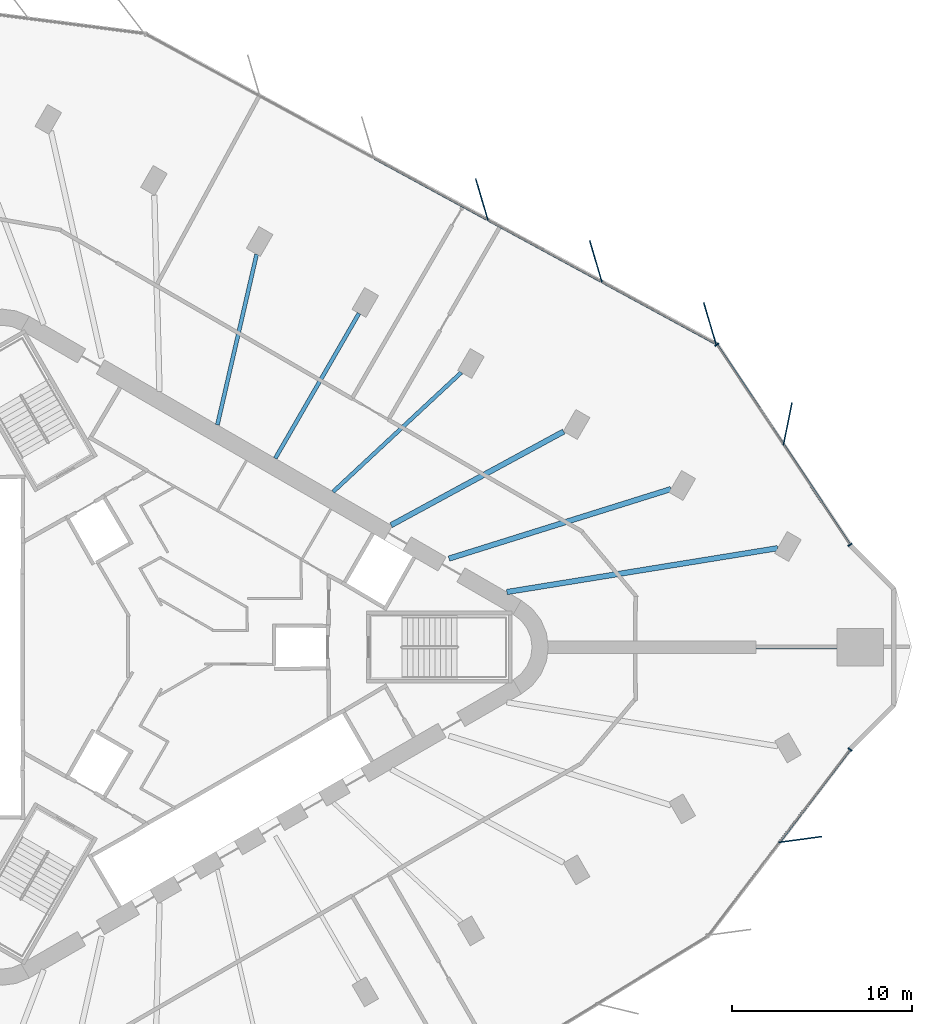
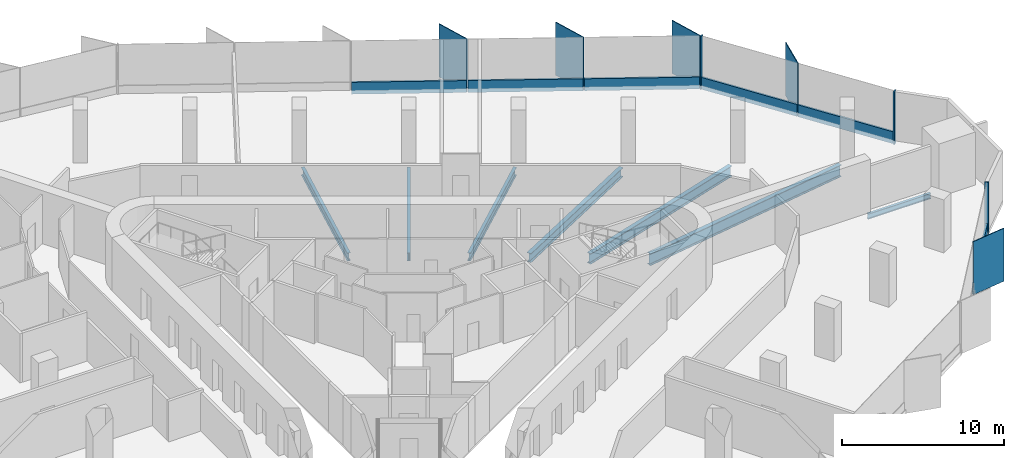
# One storey, part 5 of 14: 14 members, 7 beams, 3 elements without a shape of their own.
"""IFC4 building model written with IfcOpenShell, lengths in metres."""

from ifc_helpers import new_model, si_unit, direction, frame, origin, origin_2d, place, context, subcontext, project, spatial, rectangle, i_section, extrude, material, material_profile, profile_set, type_object, element, aggregate, save


model = new_model("IFC4")

# Units and contexts
model_context = context("Model", 3, precision=1e-05, world=origin(), true_north=direction((0.0, 1.0)))
body_context = subcontext(model_context, "Body", "Model", "MODEL_VIEW")
ifc_project = project(units=[si_unit("LENGTHUNIT", "METRE"), si_unit("AREAUNIT", "SQUARE_METRE"), si_unit("VOLUMEUNIT", "CUBIC_METRE"), si_unit("PLANEANGLEUNIT", "RADIAN"), si_unit("MASSUNIT", "GRAM", prefix="KILO")], contexts=[model_context])

# Site, building, storey
site_placement = place(None, origin())
site = spatial("IfcSite", under=ifc_project, at=site_placement, CompositionType="ELEMENT")
building_placement = place(site_placement, origin())
building = spatial("IfcBuilding", under=site, at=building_placement, Name="Tanit Gate Tower", CompositionType="ELEMENT")
storey_placement = place(building_placement, frame((0.0, 0.0, 221.199951171875)))
storey = spatial("IfcBuildingStorey", under=building, at=storey_placement, Name="L49", CompositionType="ELEMENT", Elevation=221.199951171875)

# Curtain wall, member
ifc_material_1 = material(Name="Aluminium bronze anodised and glass", Category="aluminium")
curtain_wall_type = type_object("IfcCurtainWallType", Name="Curtain wall typical mid", PredefinedType="NOTDEFINED", material=ifc_material_1)
curtain_wall_1_placement = place(storey_placement, origin())
curtain_wall_1 = element("IfcCurtainWall", 1, at=curtain_wall_1_placement, inside=storey, type_object=curtain_wall_type, Name="Curtain wall L49 NE1", PredefinedType="NOTDEFINED")
ifc_material_2 = material(Name="Aluminium bronze anodised", Category="aluminium")
ifc_material_profile_1 = material_profile(ifc_material_2, rectangle(XDim=2.39990234375, YDim=0.055908203125, at=origin_2d()), Name="56x2400 bronze fin mullion")
ifc_profile_set_1 = profile_set([ifc_material_profile_1], Name="Aluminium bronze anodised")
member_type_1 = type_object("IfcMemberType", Name="FIN MULLION 56x2400 bronze", PredefinedType="MULLION", material=ifc_profile_set_1)
member_1_placement = place(storey_placement, frame((34.483642578125, 12.392333984375, -0.300048828125), z_axis=(0.0, 0.0, 1.0), x_axis=(-0.19729527251, -0.980344110731, 0.0)))
member_1 = element("IfcMember", 2, at=member_1_placement, type_object=member_type_1, Name="Fin mullion L49 NE1.2", PredefinedType="MULLION", context=body_context, shape_type="SweptSolid", body=[
    extrude(rectangle(XDim=2.39990234375, YDim=0.055908203125, at=origin_2d()), origin(), (0.0, 0.0, 1.0), 4.0),
])

# Curtain wall, members
curtain_wall_2_placement = place(storey_placement, origin())
curtain_wall_2 = element("IfcCurtainWall", 3, at=curtain_wall_2_placement, inside=storey, type_object=curtain_wall_type, Name="Curtain wall L49 NE2", PredefinedType="NOTDEFINED")
member_2_placement = place(storey_placement, frame((30.165771484375, 17.973876953125, -0.300048828125), z_axis=(0.0, 0.0, 1.0), x_axis=(0.283905588939, -0.958852239174, 0.0)))
member_2 = element("IfcMember", 4, at=member_2_placement, type_object=member_type_1, Name="Fin mullion L49 NE2.1", PredefinedType="MULLION", context=body_context, shape_type="SweptSolid", body=[
    extrude(rectangle(XDim=2.39990234375, YDim=0.055908203125, at=origin_2d()), origin(), (0.0, 0.0, 1.0), 4.0),
])
member_3_placement = place(storey_placement, frame((23.8388671875, 21.409912109375, -0.300048828125), z_axis=(0.0, 0.0, 1.0), x_axis=(0.283905588939, -0.958852239174, 0.0)))
member_3 = element("IfcMember", 5, at=member_3_placement, type_object=member_type_1, Name="Fin mullion L49 NE2.2", PredefinedType="MULLION", context=body_context, shape_type="SweptSolid", body=[
    extrude(rectangle(XDim=2.39990234375, YDim=0.055908203125, at=origin_2d()), origin(), (0.0, 0.0, 1.0), 4.0),
])
member_4_placement = place(storey_placement, frame((17.51220703125, 24.845947265625, -0.300048828125), z_axis=(0.0, 0.0, 1.0), x_axis=(0.283905588939, -0.958852239174, 0.0)))
member_4 = element("IfcMember", 6, at=member_4_placement, type_object=member_type_1, Name="Fin mullion L49 NE2.3", PredefinedType="MULLION", context=body_context, shape_type="SweptSolid", body=[
    extrude(rectangle(XDim=2.39990234375, YDim=0.055908203125, at=origin_2d()), origin(), (0.0, 0.0, 1.0), 4.0),
])

# Curtain wall, member
curtain_wall_3_placement = place(storey_placement, origin())
curtain_wall_3 = element("IfcCurtainWall", 7, at=curtain_wall_3_placement, inside=storey, type_object=curtain_wall_type, Name="Curtain wall L49 SE3", PredefinedType="NOTDEFINED")
member_5_placement = place(storey_placement, frame((35.18603515625, -10.67041015625, -0.300048828125), z_axis=(0.0, 0.0, 1.0), x_axis=(-0.991049134388, -0.133497615066, 0.0)))
member_5 = element("IfcMember", 8, at=member_5_placement, type_object=member_type_1, Name="Fin mullion L49 SE3.2", PredefinedType="MULLION", context=body_context, shape_type="SweptSolid", body=[
    extrude(rectangle(XDim=2.39990234375, YDim=0.055908203125, at=origin_2d()), origin(), (0.0, 0.0, 1.0), 4.0),
])

# Member
ifc_material_3 = material(Name="Aluminium bronze anodised", Category="aluminium")
ifc_material_profile_2 = material_profile(ifc_material_3, rectangle(XDim=0.260009765625, YDim=0.080078125, at=origin_2d()), Name="80x260 bronze mullion")
ifc_profile_set_2 = profile_set([ifc_material_profile_2], Name="Aluminium bronze anodised")
member_type_2 = type_object("IfcMemberType", Name="Mullion 80x260 typical mid", PredefinedType="MULLION", material=ifc_profile_set_2)
member_6_placement = place(storey_placement, frame((37.9443359375, 5.68212890625, -0.300048828125), z_axis=(0.0, 0.0, 1.0), x_axis=(-0.832716793682, -0.553699143506, 0.0)))
member_6 = element("IfcMember", 9, at=member_6_placement, type_object=member_type_2, Name="Mullion L49 NE1.1", PredefinedType="MULLION", context=body_context, shape_type="SweptSolid", body=[
    extrude(rectangle(XDim=0.260009765625, YDim=0.080078125, at=origin_2d()), origin(), (0.0, 0.0, 1.0), 4.0),
])

member_7_placement = place(storey_placement, frame((30.5576171875, 16.791259765625, -0.300048828125), z_axis=(0.0, 0.0, 1.0), x_axis=(-0.832716793682, -0.553699143506, 0.0)))
member_7 = element("IfcMember", 10, at=member_7_placement, type_object=member_type_2, Name="Mullion L49 NE1.3", PredefinedType="MULLION", context=body_context, shape_type="SweptSolid", body=[
    extrude(rectangle(XDim=0.260009765625, YDim=0.080078125, at=origin_2d()), origin(), (0.0, 0.0, 1.0), 4.0),
])

member_8_placement = place(storey_placement, frame((37.945068359375, -5.677734375, -0.300048828125), z_axis=(0.0, 0.0, 1.0), x_axis=(-0.7951746323, 0.60638049453, 0.0)))
member_8 = element("IfcMember", 11, at=member_8_placement, type_object=member_type_2, Name="Mullion L49 SE3.3", PredefinedType="MULLION", context=body_context, shape_type="SweptSolid", body=[
    extrude(rectangle(XDim=0.260009765625, YDim=0.080078125, at=origin_2d()), origin(), (0.0, 0.0, 1.0), 4.0),
])

# Beams
ifc_material_4 = material(Name="Steel S355", Category="steel")
ifc_material_profile_3 = material_profile(ifc_material_4, i_section(OverallWidth=0.300048828125, OverallDepth=0.68994140625, WebThickness=0.014404296875, FlangeThickness=0.027099609375, FilletRadius=0.027099609375, at=origin_2d()), Name="HEA 700")
ifc_profile_set_3 = profile_set([ifc_material_profile_3], Name="Steel S355")
beam_type_1 = type_object("IfcBeamType", Name="RADIAL GIRDER HEA 700 S355", PredefinedType="BEAM", material=ifc_profile_set_3)
beam_1_placement = place(storey_placement, frame((22.050048828125, 11.96630859375, -0.64501953125), z_axis=(-0.878919746534, -0.476969683683, 0.0), x_axis=(0.476969683683, -0.878919746534, 0.0)))
element("IfcBeam", 12, at=beam_1_placement, inside=storey, type_object=beam_type_1, Name="RADIAL GIRDER", PredefinedType="BEAM", context=body_context, shape_type="SweptSolid", body=[
    extrude(i_section(OverallWidth=0.300048828125, OverallDepth=0.68994140625, WebThickness=0.014404296875, FlangeThickness=0.027099609375, FilletRadius=0.027099609375, at=origin_2d()), origin(), (0.0, 0.0, 1.0), 10.892333984375),
])
ifc_material_5 = material(Name="Steel S355", Category="steel")
ifc_material_profile_4 = material_profile(ifc_material_5, i_section(OverallWidth=0.300048828125, OverallDepth=0.7900390625, WebThickness=0.014892578125, FlangeThickness=0.028076171875, FilletRadius=0.030029296875, at=origin_2d()), Name="HEA 800")
ifc_profile_set_4 = profile_set([ifc_material_profile_4], Name="Steel S355")
beam_type_2 = type_object("IfcBeamType", Name="RADIAL GIRDER HEA 800 S355", PredefinedType="BEAM", material=ifc_profile_set_4)
beam_2_placement = place(storey_placement, frame((28.001220703125, 8.773681640625, -0.695068359375), z_axis=(-0.954253776397, -0.298997876635, 0.0), x_axis=(0.298997876635, -0.954253776397, 0.0)))
element("IfcBeam", 13, at=beam_2_placement, inside=storey, type_object=beam_type_2, Name="RADIAL GIRDER", PredefinedType="BEAM", context=body_context, shape_type="SweptSolid", body=[
    extrude(i_section(OverallWidth=0.300048828125, OverallDepth=0.7900390625, WebThickness=0.014892578125, FlangeThickness=0.028076171875, FilletRadius=0.030029296875, at=origin_2d()), origin(), (0.0, 0.0, 1.0), 12.902099609375),
])
ifc_material_6 = material(Name="Steel S355", Category="steel")
ifc_material_profile_5 = material_profile(ifc_material_6, i_section(OverallWidth=0.300048828125, OverallDepth=0.889892578125, WebThickness=0.01611328125, FlangeThickness=0.030029296875, FilletRadius=0.030029296875, at=origin_2d()), Name="HEA 900")
ifc_profile_set_5 = profile_set([ifc_material_profile_5], Name="Steel S355")
beam_type_3 = type_object("IfcBeamType", Name="RADIAL GIRDER HEA 900 S355", PredefinedType="BEAM", material=ifc_profile_set_5)
beam_3_placement = place(storey_placement, frame((33.92626953125, 5.494140625, -0.744873046875), z_axis=(-0.987139158822, -0.159863320119, 0.0), x_axis=(0.159863320119, -0.987139158822, 0.0)))
element("IfcBeam", 14, at=beam_3_placement, inside=storey, type_object=beam_type_3, Name="RADIAL GIRDER", PredefinedType="BEAM", context=body_context, shape_type="SweptSolid", body=[
    extrude(i_section(OverallWidth=0.300048828125, OverallDepth=0.889892578125, WebThickness=0.01611328125, FlangeThickness=0.030029296875, FilletRadius=0.030029296875, at=origin_2d()), origin(), (0.0, 0.0, 1.0), 15.219970703125),
])
ifc_material_7 = material(Name="Steel S355", Category="steel")
ifc_material_profile_6 = material_profile(ifc_material_7, i_section(OverallWidth=0.179931640625, OverallDepth=0.39990234375, WebThickness=0.008544921875, FlangeThickness=0.013427734375, FilletRadius=0.02099609375, at=origin_2d()), Name="IPE 400")
ifc_profile_set_6 = profile_set([ifc_material_profile_6], Name="Steel S355")
beam_type_4 = type_object("IfcBeamType", Name="RADIAL GIRDER IPE 400 S355", PredefinedType="BEAM", material=ifc_profile_set_6)
beam_4_placement = place(storey_placement, frame((37.21533203125, 0.0, -0.5), z_axis=(-1.0, 0.0, 0.0), x_axis=(0.0, -1.0, 0.0)))
element("IfcBeam", 15, at=beam_4_placement, inside=storey, type_object=beam_type_4, Name="RADIAL GIRDER", PredefinedType="BEAM", context=body_context, shape_type="SweptSolid", body=[
    extrude(i_section(OverallWidth=0.179931640625, OverallDepth=0.39990234375, WebThickness=0.008544921875, FlangeThickness=0.013427734375, FilletRadius=0.02099609375, at=origin_2d()), origin(), (0.0, 0.0, 1.0), 4.484375),
])
ifc_material_8 = material(Name="Steel S355", Category="steel")
ifc_material_profile_7 = material_profile(ifc_material_8, i_section(OverallWidth=0.219970703125, OverallDepth=0.60009765625, WebThickness=0.011962890625, FlangeThickness=0.01904296875, FilletRadius=0.02392578125, at=origin_2d()), Name="IPE 600")
ifc_profile_set_7 = profile_set([ifc_material_profile_7], Name="Steel S355")
beam_type_5 = type_object("IfcBeamType", Name="RADIAL GIRDER IPE 600 S355", PredefinedType="BEAM", material=ifc_profile_set_7)
beam_5_placement = place(storey_placement, frame((16.3720703125, 15.244384765625, -0.599853515625), z_axis=(-0.731857228845, -0.681457993267, 0.0), x_axis=(0.681457993267, -0.731857228845, 0.0)))
element("IfcBeam", 16, at=beam_5_placement, inside=storey, type_object=beam_type_5, Name="RADIAL GIRDER", PredefinedType="BEAM", context=body_context, shape_type="SweptSolid", body=[
    extrude(i_section(OverallWidth=0.219970703125, OverallDepth=0.60009765625, WebThickness=0.011962890625, FlangeThickness=0.01904296875, FilletRadius=0.02392578125, at=origin_2d()), origin(), (0.0, 0.0, 1.0), 9.71240234375),
])
beam_6_placement = place(storey_placement, frame((10.694091796875, 18.522705078125, -0.599853515625), z_axis=(-0.500001619514, -0.866024468756, 0.0), x_axis=(0.866024468756, -0.500001619514, 0.0)))
element("IfcBeam", 17, at=beam_6_placement, inside=storey, type_object=beam_type_5, Name="RADIAL GIRDER", PredefinedType="BEAM", context=body_context, shape_type="SweptSolid", body=[
    extrude(i_section(OverallWidth=0.219970703125, OverallDepth=0.60009765625, WebThickness=0.011962890625, FlangeThickness=0.01904296875, FilletRadius=0.02392578125, at=origin_2d()), origin(), (0.0, 0.0, 1.0), 9.2861328125),
])
beam_7_placement = place(storey_placement, frame((5.01611328125, 21.80078125, -0.599853515625), z_axis=(-0.224240798092, -0.974533767743, 0.0), x_axis=(0.974533767743, -0.224240798092, 0.0)))
element("IfcBeam", 18, at=beam_7_placement, inside=storey, type_object=beam_type_5, Name="RADIAL GIRDER", PredefinedType="BEAM", context=body_context, shape_type="SweptSolid", body=[
    extrude(i_section(OverallWidth=0.219970703125, OverallDepth=0.60009765625, WebThickness=0.011962890625, FlangeThickness=0.01904296875, FilletRadius=0.02392578125, at=origin_2d()), origin(), (0.0, 0.0, 1.0), 9.712646484375),
])

# Member
ifc_material_9 = material(Name="Aluminium bronze anodised", Category="aluminium")
ifc_material_profile_8 = material_profile(ifc_material_9, rectangle(XDim=0.139892578125, YDim=0.89990234375, at=origin_2d()), Name="140x900 bronze transom")
ifc_profile_set_8 = profile_set([ifc_material_profile_8], Name="Aluminium bronze anodised")
member_type_3 = type_object("IfcMemberType", Name="Transom 140x900 typical mid", PredefinedType="USERDEFINED", material=ifc_profile_set_8)
member_9_placement = place(storey_placement, frame((37.92236328125, 5.71533203125, 0.150146484375), z_axis=(-0.553699602153, 0.832716488714, 0.0), x_axis=(-0.832716488714, -0.553699602153, 0.0)))
member_9 = element("IfcMember", 19, at=member_9_placement, type_object=member_type_3, Name="Transom L49 NE1.1", ObjectType="TRANSOM", PredefinedType="USERDEFINED", context=body_context, shape_type="SweptSolid", body=[
    extrude(rectangle(XDim=0.139892578125, YDim=0.89990234375, at=origin_2d()), origin(), (0.0, 0.0, 1.0), 6.590576171875),
])

member_10_placement = place(storey_placement, frame((34.22900390625, 11.27001953125, 0.150146484375), z_axis=(-0.553716682709, 0.832705131058, 0.0), x_axis=(-0.832705131058, -0.553716682709, 0.0)))
member_10 = element("IfcMember", 20, at=member_10_placement, type_object=member_type_3, Name="Transom L49 NE1.2", ObjectType="TRANSOM", PredefinedType="USERDEFINED", context=body_context, shape_type="SweptSolid", body=[
    extrude(rectangle(XDim=0.139892578125, YDim=0.89990234375, at=origin_2d()), origin(), (0.0, 0.0, 1.0), 6.59033203125),
])

aggregate(curtain_wall_1, [member_6, member_1, member_7, member_9, member_10])

member_11_placement = place(storey_placement, frame((30.46533203125, 16.862548828125, 0.150146484375), z_axis=(-0.878764273832, 0.477256064432, 0.0), x_axis=(-0.477256064432, -0.878764273832, 0.0)))
member_11 = element("IfcMember", 21, at=member_11_placement, type_object=member_type_3, Name="Transom L49 NE2.1", ObjectType="TRANSOM", PredefinedType="USERDEFINED", context=body_context, shape_type="SweptSolid", body=[
    extrude(rectangle(XDim=0.139892578125, YDim=0.89990234375, at=origin_2d()), origin(), (0.0, 0.0, 1.0), 7.119873046875),
])

member_12_placement = place(storey_placement, frame((24.138427734375, 20.298828125, 0.150146484375), z_axis=(-0.878770844888, 0.477243965048, 0.0), x_axis=(-0.477243965048, -0.878770844888, 0.0)))
member_12 = element("IfcMember", 22, at=member_12_placement, type_object=member_type_3, Name="Transom L49 NE2.2", ObjectType="TRANSOM", PredefinedType="USERDEFINED", context=body_context, shape_type="SweptSolid", body=[
    extrude(rectangle(XDim=0.139892578125, YDim=0.89990234375, at=origin_2d()), origin(), (0.0, 0.0, 1.0), 7.119384765625),
])

member_13_placement = place(storey_placement, frame((17.811767578125, 23.73486328125, 0.150146484375), z_axis=(-0.878770844888, 0.477243965048, 0.0), x_axis=(-0.477243965048, -0.878770844888, 0.0)))
member_13 = element("IfcMember", 23, at=member_13_placement, type_object=member_type_3, Name="Transom L49 NE2.3", ObjectType="TRANSOM", PredefinedType="USERDEFINED", context=body_context, shape_type="SweptSolid", body=[
    extrude(rectangle(XDim=0.139892578125, YDim=0.89990234375, at=origin_2d()), origin(), (0.0, 0.0, 1.0), 7.119384765625),
])

aggregate(curtain_wall_2, [member_2, member_3, member_4, member_11, member_12, member_13])

member_14_placement = place(storey_placement, frame((34.042236328125, -10.7958984375, 0.150146484375), z_axis=(0.606387006, 0.795169666772, 0.0), x_axis=(-0.795169666772, 0.606387006, 0.0)))
member_14 = element("IfcMember", 24, at=member_14_placement, type_object=member_type_3, Name="Transom L49 SE3.2", ObjectType="TRANSOM", PredefinedType="USERDEFINED", context=body_context, shape_type="SweptSolid", body=[
    extrude(rectangle(XDim=0.139892578125, YDim=0.89990234375, at=origin_2d()), origin(), (0.0, 0.0, 1.0), 6.396240234375),
])

aggregate(curtain_wall_3, [member_5, member_8, member_14])

save(model, "model.ifc")
